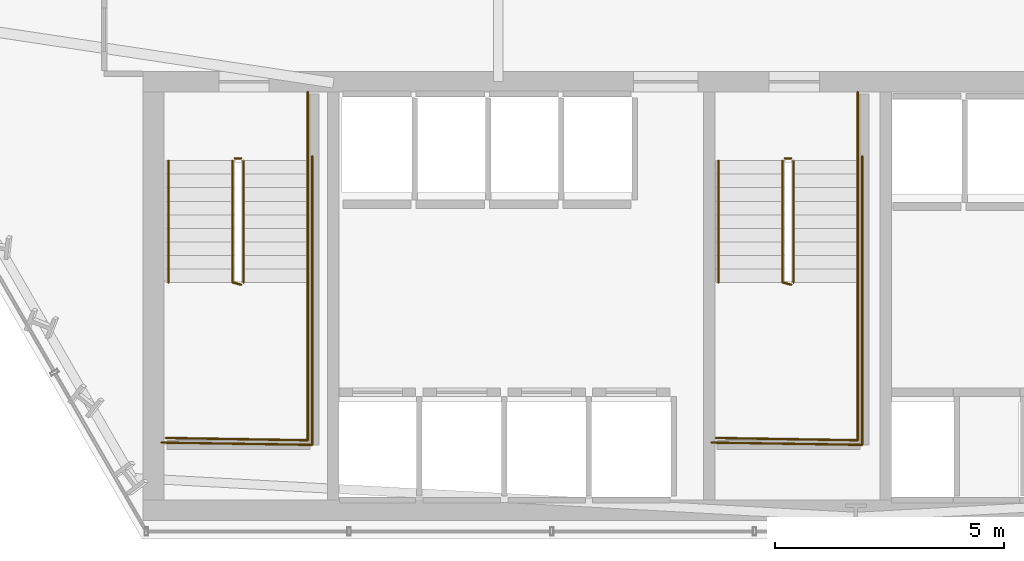
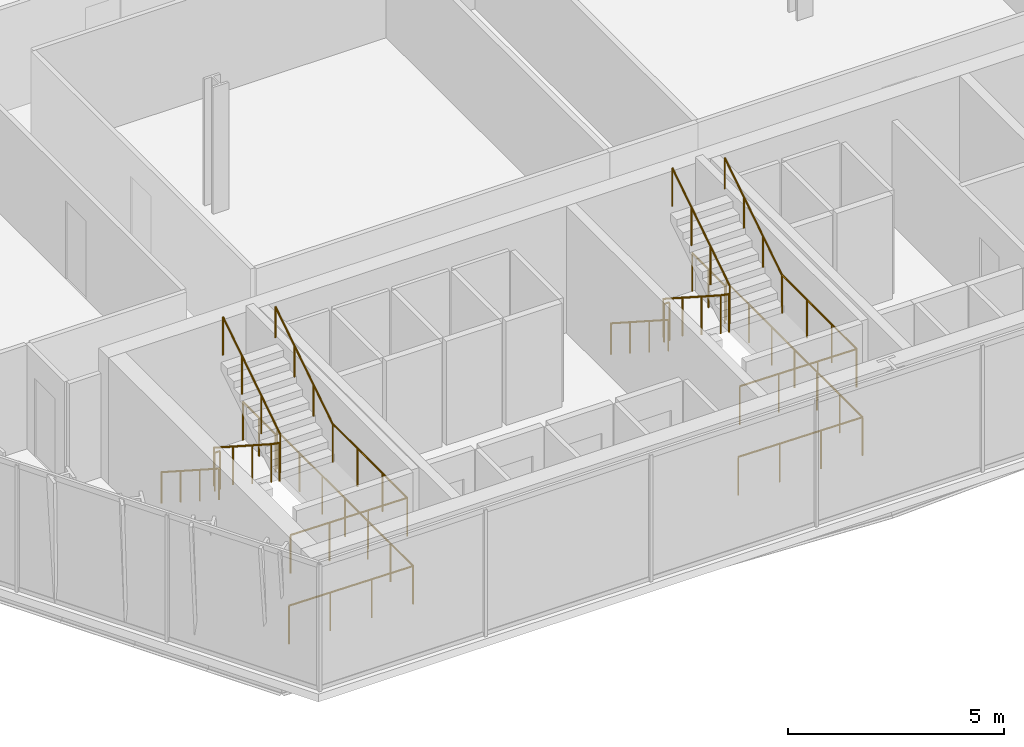
# One storey, part 30 of 32: 16 railings.
"""IFC4 building model written with IfcOpenShell, lengths in metres."""

from ifc_helpers import new_model, si_unit, direction, frame, origin, origin_2d, place, context, subcontext, project, spatial, circle, extrude, material, layer, layer_set, type_object, element, save


model = new_model("IFC4")

# Units and contexts
model_context = context("Model", 3, precision=1e-05, world=origin(), true_north=direction((0.0, 1.0)))
body_context = subcontext(model_context, "Body", "Model", "MODEL_VIEW")
ifc_project = project(units=[si_unit("LENGTHUNIT", "METRE"), si_unit("AREAUNIT", "SQUARE_METRE"), si_unit("VOLUMEUNIT", "CUBIC_METRE"), si_unit("PLANEANGLEUNIT", "RADIAN"), si_unit("MASSUNIT", "GRAM", prefix="KILO")], contexts=[model_context])

# Site, building, storey
site_placement = place(None, origin())
site = spatial("IfcSite", under=ifc_project, at=site_placement, CompositionType="ELEMENT")
building_placement = place(site_placement, origin())
building = spatial("IfcBuilding", under=site, at=building_placement, Name="Ndaravel Arena Tower", CompositionType="ELEMENT")
storey_placement = place(building_placement, frame((0.0, 0.0, 55.0)))
storey = spatial("IfcBuildingStorey", under=building, at=storey_placement, Name="L11", CompositionType="ELEMENT", Elevation=55.0)

# Railings
ifc_material_1 = material(Name="Steel S355", Category="steel")
ifc_layer_1 = layer(ifc_material_1, 0.06005859375)
ifc_layer_set_1 = layer_set([ifc_layer_1], Name="Steel S355")
railing_type_1 = type_object("IfcRailingType", Name="RAIL-STAIR-GD1100", PredefinedType="GUARDRAIL", material=ifc_layer_set_1)
railing_1_placement = place(storey_placement, frame((28.39990234375, 13.25, 0.18994140625)))
element("IfcRailing", 1, at=railing_1_placement, inside=storey, type_object=railing_type_1, Name="L11 ST-1 stair guard 1", PredefinedType="GUARDRAIL", context=body_context, shape_type="SweptSolid", body=[
    extrude(circle(Radius=0.02392578125, at=origin_2d()), frame((0.0, 0.0, 1.076171875), z_axis=(0.0, -0.840723540582, 0.54146461409), x_axis=(1.0, 0.0, 0.0)), (0.0, 0.0, 1.0), 3.157958984375),
    extrude(circle(Radius=0.02392578125, at=origin_2d()), frame((0.0, -2.655029296875, 2.7861328125), z_axis=(0.967074537263, -0.25449329928, 0.0), x_axis=(0.25449329928, 0.967074537263, 0.0)), (0.0, 0.0, 1.0), 0.19677734375),
    extrude(circle(Radius=0.02099609375, at=origin_2d()), origin(), (0.0, 0.0, 1.0), 1.052001953125),
    extrude(circle(Radius=0.02099609375, at=origin_2d()), frame((0.0, -0.885009765625, 0.570068359375)), (0.0, 0.0, 1.0), 1.052001953125),
    extrude(circle(Radius=0.02099609375, at=origin_2d()), frame((0.0, -1.77001953125, 1.139892578125)), (0.0, 0.0, 1.0), 1.052001953125),
    extrude(circle(Radius=0.02099609375, at=origin_2d()), frame((0.0, -2.655029296875, 1.7099609375)), (0.0, 0.0, 1.0), 1.052001953125),
    extrude(circle(Radius=0.02099609375, at=origin_2d()), frame((0.190185546875, -2.705078125, 1.7099609375)), (0.0, 0.0, 1.0), 1.052001953125),
])
railing_2_placement = place(storey_placement, frame((30.0400390625, 10.594970703125, 1.89990234375)))
element("IfcRailing", 2, at=railing_2_placement, inside=storey, type_object=railing_type_1, Name="L11 ST-1 stair guard 2", PredefinedType="GUARDRAIL", context=body_context, shape_type="SweptSolid", body=[
    extrude(circle(Radius=0.02392578125, at=origin_2d()), frame((0.0, 0.0, 1.076171875), z_axis=(0.0, -1.0, 0.0), x_axis=(1.0, 0.0, 0.0)), (0.0, 0.0, 1.0), 3.445068359375),
    extrude(circle(Radius=0.02392578125, at=origin_2d()), frame((0.0, -3.445068359375, 1.076171875), z_axis=(-0.999868861343, 0.016194447071, 0.0), x_axis=(-0.016194447071, -0.999868861343, 0.0)), (0.0, 0.0, 1.0), 3.090576171875),
    extrude(circle(Radius=0.02099609375, at=origin_2d()), origin(), (0.0, 0.0, 1.0), 1.052001953125),
    extrude(circle(Radius=0.02099609375, at=origin_2d()), frame((0.0, -1.1484375, 0.0)), (0.0, 0.0, 1.0), 1.052001953125),
    extrude(circle(Radius=0.02099609375, at=origin_2d()), frame((0.0, -2.296630859375, 0.0)), (0.0, 0.0, 1.0), 1.052001953125),
    extrude(circle(Radius=0.02099609375, at=origin_2d()), frame((0.0, -3.445068359375, 0.0)), (0.0, 0.0, 1.0), 1.052001953125),
    extrude(circle(Radius=0.02099609375, at=origin_2d()), frame((-1.030029296875, -3.428466796875, 0.0)), (0.0, 0.0, 1.0), 1.052001953125),
    extrude(circle(Radius=0.02099609375, at=origin_2d()), frame((-2.06005859375, -3.41162109375, 0.0)), (0.0, 0.0, 1.0), 1.052001953125),
    extrude(circle(Radius=0.02099609375, at=origin_2d()), frame((-3.090087890625, -3.39501953125, 0.0)), (0.0, 0.0, 1.0), 1.052001953125),
])
railing_3_placement = place(storey_placement, frame((28.639892578125, 10.594970703125, 2.090087890625)))
element("IfcRailing", 3, at=railing_3_placement, inside=storey, type_object=railing_type_1, Name="L11 ST-1 stair guard 3", PredefinedType="GUARDRAIL", context=body_context, shape_type="SweptSolid", body=[
    extrude(circle(Radius=0.02392578125, at=origin_2d()), frame((0.0, 0.0, 1.076171875), z_axis=(0.0, 0.840723540582, 0.54146461409), x_axis=(-1.0, 0.0, 0.0)), (0.0, 0.0, 1.0), 3.157958984375),
    extrude(circle(Radius=0.02099609375, at=origin_2d()), origin(), (0.0, 0.0, 1.0), 1.052001953125),
    extrude(circle(Radius=0.02099609375, at=origin_2d()), frame((0.0, 0.885009765625, 0.570068359375)), (0.0, 0.0, 1.0), 1.052001953125),
    extrude(circle(Radius=0.02099609375, at=origin_2d()), frame((0.0, 1.77001953125, 1.139892578125)), (0.0, 0.0, 1.0), 1.052001953125),
    extrude(circle(Radius=0.02099609375, at=origin_2d()), frame((0.0, 2.655029296875, 1.7099609375)), (0.0, 0.0, 1.0), 1.052001953125),
])
railing_4_placement = place(storey_placement, frame((28.449951171875, 13.300048828125, 0.0)))
element("IfcRailing", 4, at=railing_4_placement, inside=storey, type_object=railing_type_1, Name="L11 ST-1 stair guard 4", PredefinedType="GUARDRAIL", context=body_context, shape_type="SweptSolid", body=[
    extrude(circle(Radius=0.02392578125, at=origin_2d()), frame((0.0, 0.0, 1.076171875), z_axis=(1.0, 0.0, 0.0), x_axis=(0.0, 1.0, 0.0)), (0.0, 0.0, 1.0), 0.14013671875),
    extrude(circle(Radius=0.02099609375, at=origin_2d()), origin(), (0.0, 0.0, 1.0), 1.052001953125),
    extrude(circle(Radius=0.02099609375, at=origin_2d()), frame((0.14013671875, 0.0, 0.0)), (0.0, 0.0, 1.0), 1.052001953125),
])
railing_5_placement = place(storey_placement, frame((30.0400390625, 14.75, 0.0)))
element("IfcRailing", 5, at=railing_5_placement, inside=storey, type_object=railing_type_1, Name="L11 ST-1 stair guard 5", PredefinedType="GUARDRAIL", context=body_context, shape_type="SweptSolid", body=[
    extrude(circle(Radius=0.02392578125, at=origin_2d()), frame((0.0, 0.0, 1.076171875), z_axis=(0.0, -1.0, 0.0), x_axis=(1.0, 0.0, 0.0)), (0.0, 0.0, 1.0), 1.5),
    extrude(circle(Radius=0.02099609375, at=origin_2d()), origin(), (0.0, 0.0, 1.0), 1.052001953125),
    extrude(circle(Radius=0.02099609375, at=origin_2d()), frame((0.0, -0.75, 0.0)), (0.0, 0.0, 1.0), 1.052001953125),
    extrude(circle(Radius=0.02099609375, at=origin_2d()), frame((0.0, -1.5, 0.0)), (0.0, 0.0, 1.0), 1.052001953125),
])
railing_6_placement = place(storey_placement, frame((30.139892578125, 13.35009765625, 0.0)))
element("IfcRailing", 6, at=railing_6_placement, inside=storey, type_object=railing_type_1, Name="L11 ST-1 stair guard 6", PredefinedType="GUARDRAIL", context=body_context, shape_type="SweptSolid", body=[
    extrude(circle(Radius=0.02392578125, at=origin_2d()), frame((0.0, 0.0, 1.076171875), z_axis=(0.0, -1.0, 0.0), x_axis=(1.0, 0.0, 0.0)), (0.0, 0.0, 1.0), 6.300048828125),
    extrude(circle(Radius=0.02392578125, at=origin_2d()), frame((0.0, -6.300048828125, 1.076171875), z_axis=(-0.999884296952, 0.015211597839, 0.0), x_axis=(-0.015211597839, -0.999884296952, 0.0)), (0.0, 0.0, 1.0), 3.290283203125),
    extrude(circle(Radius=0.02099609375, at=origin_2d()), origin(), (0.0, 0.0, 1.0), 1.052001953125),
    extrude(circle(Radius=0.02099609375, at=origin_2d()), frame((0.0, -1.050048828125, 0.0)), (0.0, 0.0, 1.0), 1.052001953125),
    extrude(circle(Radius=0.02099609375, at=origin_2d()), frame((0.0, -2.10009765625, 0.0)), (0.0, 0.0, 1.0), 1.052001953125),
    extrude(circle(Radius=0.02099609375, at=origin_2d()), frame((0.0, -3.14990234375, 0.0)), (0.0, 0.0, 1.0), 1.052001953125),
    extrude(circle(Radius=0.02099609375, at=origin_2d()), frame((0.0, -4.199951171875, 0.0)), (0.0, 0.0, 1.0), 1.052001953125),
    extrude(circle(Radius=0.02099609375, at=origin_2d()), frame((0.0, -5.25, 0.0)), (0.0, 0.0, 1.0), 1.052001953125),
    extrude(circle(Radius=0.02099609375, at=origin_2d()), frame((0.0, -6.300048828125, 0.0)), (0.0, 0.0, 1.0), 1.052001953125),
    extrude(circle(Radius=0.02099609375, at=origin_2d()), frame((-1.0966796875, -6.283447265625, 0.0)), (0.0, 0.0, 1.0), 1.052001953125),
    extrude(circle(Radius=0.02099609375, at=origin_2d()), frame((-2.193115234375, -6.2666015625, 0.0)), (0.0, 0.0, 1.0), 1.052001953125),
    extrude(circle(Radius=0.02099609375, at=origin_2d()), frame((-3.289794921875, -6.25, 0.0)), (0.0, 0.0, 1.0), 1.052001953125),
])
railing_7_placement = place(storey_placement, frame((40.39990234375, 13.25, 0.18994140625)))
element("IfcRailing", 7, at=railing_7_placement, inside=storey, type_object=railing_type_1, Name="L11 ST-2 stair guard 1", PredefinedType="GUARDRAIL", context=body_context, shape_type="SweptSolid", body=[
    extrude(circle(Radius=0.02392578125, at=origin_2d()), frame((0.0, 0.0, 1.076171875), z_axis=(0.0, -0.840723540582, 0.54146461409), x_axis=(1.0, 0.0, 0.0)), (0.0, 0.0, 1.0), 3.157958984375),
    extrude(circle(Radius=0.02392578125, at=origin_2d()), frame((0.0, -2.655029296875, 2.7861328125), z_axis=(0.967074537263, -0.25449329928, 0.0), x_axis=(0.25449329928, 0.967074537263, 0.0)), (0.0, 0.0, 1.0), 0.19677734375),
    extrude(circle(Radius=0.02099609375, at=origin_2d()), origin(), (0.0, 0.0, 1.0), 1.052001953125),
    extrude(circle(Radius=0.02099609375, at=origin_2d()), frame((0.0, -0.885009765625, 0.570068359375)), (0.0, 0.0, 1.0), 1.052001953125),
    extrude(circle(Radius=0.02099609375, at=origin_2d()), frame((0.0, -1.77001953125, 1.139892578125)), (0.0, 0.0, 1.0), 1.052001953125),
    extrude(circle(Radius=0.02099609375, at=origin_2d()), frame((0.0, -2.655029296875, 1.7099609375)), (0.0, 0.0, 1.0), 1.052001953125),
    extrude(circle(Radius=0.02099609375, at=origin_2d()), frame((0.190185546875, -2.705078125, 1.7099609375)), (0.0, 0.0, 1.0), 1.052001953125),
])
railing_8_placement = place(storey_placement, frame((42.0400390625, 10.594970703125, 1.89990234375)))
element("IfcRailing", 8, at=railing_8_placement, inside=storey, type_object=railing_type_1, Name="L11 ST-2 stair guard 2", PredefinedType="GUARDRAIL", context=body_context, shape_type="SweptSolid", body=[
    extrude(circle(Radius=0.02392578125, at=origin_2d()), frame((0.0, 0.0, 1.076171875), z_axis=(0.0, -1.0, 0.0), x_axis=(1.0, 0.0, 0.0)), (0.0, 0.0, 1.0), 3.445068359375),
    extrude(circle(Radius=0.02392578125, at=origin_2d()), frame((0.0, -3.445068359375, 1.076171875), z_axis=(-0.999868861343, 0.016194447071, 0.0), x_axis=(-0.016194447071, -0.999868861343, 0.0)), (0.0, 0.0, 1.0), 3.090576171875),
    extrude(circle(Radius=0.02099609375, at=origin_2d()), origin(), (0.0, 0.0, 1.0), 1.052001953125),
    extrude(circle(Radius=0.02099609375, at=origin_2d()), frame((0.0, -1.1484375, 0.0)), (0.0, 0.0, 1.0), 1.052001953125),
    extrude(circle(Radius=0.02099609375, at=origin_2d()), frame((0.0, -2.296630859375, 0.0)), (0.0, 0.0, 1.0), 1.052001953125),
    extrude(circle(Radius=0.02099609375, at=origin_2d()), frame((0.0, -3.445068359375, 0.0)), (0.0, 0.0, 1.0), 1.052001953125),
    extrude(circle(Radius=0.02099609375, at=origin_2d()), frame((-1.030029296875, -3.428466796875, 0.0)), (0.0, 0.0, 1.0), 1.052001953125),
    extrude(circle(Radius=0.02099609375, at=origin_2d()), frame((-2.06005859375, -3.41162109375, 0.0)), (0.0, 0.0, 1.0), 1.052001953125),
    extrude(circle(Radius=0.02099609375, at=origin_2d()), frame((-3.090087890625, -3.39501953125, 0.0)), (0.0, 0.0, 1.0), 1.052001953125),
])
railing_9_placement = place(storey_placement, frame((40.639892578125, 10.594970703125, 2.090087890625)))
element("IfcRailing", 9, at=railing_9_placement, inside=storey, type_object=railing_type_1, Name="L11 ST-2 stair guard 3", PredefinedType="GUARDRAIL", context=body_context, shape_type="SweptSolid", body=[
    extrude(circle(Radius=0.02392578125, at=origin_2d()), frame((0.0, 0.0, 1.076171875), z_axis=(0.0, 0.840723540582, 0.54146461409), x_axis=(-1.0, 0.0, 0.0)), (0.0, 0.0, 1.0), 3.157958984375),
    extrude(circle(Radius=0.02099609375, at=origin_2d()), origin(), (0.0, 0.0, 1.0), 1.052001953125),
    extrude(circle(Radius=0.02099609375, at=origin_2d()), frame((0.0, 0.885009765625, 0.570068359375)), (0.0, 0.0, 1.0), 1.052001953125),
    extrude(circle(Radius=0.02099609375, at=origin_2d()), frame((0.0, 1.77001953125, 1.139892578125)), (0.0, 0.0, 1.0), 1.052001953125),
    extrude(circle(Radius=0.02099609375, at=origin_2d()), frame((0.0, 2.655029296875, 1.7099609375)), (0.0, 0.0, 1.0), 1.052001953125),
])
railing_10_placement = place(storey_placement, frame((40.449951171875, 13.300048828125, 0.0)))
element("IfcRailing", 10, at=railing_10_placement, inside=storey, type_object=railing_type_1, Name="L11 ST-2 stair guard 4", PredefinedType="GUARDRAIL", context=body_context, shape_type="SweptSolid", body=[
    extrude(circle(Radius=0.02392578125, at=origin_2d()), frame((0.0, 0.0, 1.076171875), z_axis=(1.0, 0.0, 0.0), x_axis=(0.0, 1.0, 0.0)), (0.0, 0.0, 1.0), 0.14013671875),
    extrude(circle(Radius=0.02099609375, at=origin_2d()), origin(), (0.0, 0.0, 1.0), 1.052001953125),
    extrude(circle(Radius=0.02099609375, at=origin_2d()), frame((0.14013671875, 0.0, 0.0)), (0.0, 0.0, 1.0), 1.052001953125),
])
railing_11_placement = place(storey_placement, frame((42.0400390625, 14.75, 0.0)))
element("IfcRailing", 11, at=railing_11_placement, inside=storey, type_object=railing_type_1, Name="L11 ST-2 stair guard 5", PredefinedType="GUARDRAIL", context=body_context, shape_type="SweptSolid", body=[
    extrude(circle(Radius=0.02392578125, at=origin_2d()), frame((0.0, 0.0, 1.076171875), z_axis=(0.0, -1.0, 0.0), x_axis=(1.0, 0.0, 0.0)), (0.0, 0.0, 1.0), 1.5),
    extrude(circle(Radius=0.02099609375, at=origin_2d()), origin(), (0.0, 0.0, 1.0), 1.052001953125),
    extrude(circle(Radius=0.02099609375, at=origin_2d()), frame((0.0, -0.75, 0.0)), (0.0, 0.0, 1.0), 1.052001953125),
    extrude(circle(Radius=0.02099609375, at=origin_2d()), frame((0.0, -1.5, 0.0)), (0.0, 0.0, 1.0), 1.052001953125),
])
railing_12_placement = place(storey_placement, frame((42.139892578125, 13.35009765625, 0.0)))
element("IfcRailing", 12, at=railing_12_placement, inside=storey, type_object=railing_type_1, Name="L11 ST-2 stair guard 6", PredefinedType="GUARDRAIL", context=body_context, shape_type="SweptSolid", body=[
    extrude(circle(Radius=0.02392578125, at=origin_2d()), frame((0.0, 0.0, 1.076171875), z_axis=(0.0, -1.0, 0.0), x_axis=(1.0, 0.0, 0.0)), (0.0, 0.0, 1.0), 6.300048828125),
    extrude(circle(Radius=0.02392578125, at=origin_2d()), frame((0.0, -6.300048828125, 1.076171875), z_axis=(-0.999884296952, 0.015211597839, 0.0), x_axis=(-0.015211597839, -0.999884296952, 0.0)), (0.0, 0.0, 1.0), 3.290283203125),
    extrude(circle(Radius=0.02099609375, at=origin_2d()), origin(), (0.0, 0.0, 1.0), 1.052001953125),
    extrude(circle(Radius=0.02099609375, at=origin_2d()), frame((0.0, -1.050048828125, 0.0)), (0.0, 0.0, 1.0), 1.052001953125),
    extrude(circle(Radius=0.02099609375, at=origin_2d()), frame((0.0, -2.10009765625, 0.0)), (0.0, 0.0, 1.0), 1.052001953125),
    extrude(circle(Radius=0.02099609375, at=origin_2d()), frame((0.0, -3.14990234375, 0.0)), (0.0, 0.0, 1.0), 1.052001953125),
    extrude(circle(Radius=0.02099609375, at=origin_2d()), frame((0.0, -4.199951171875, 0.0)), (0.0, 0.0, 1.0), 1.052001953125),
    extrude(circle(Radius=0.02099609375, at=origin_2d()), frame((0.0, -5.25, 0.0)), (0.0, 0.0, 1.0), 1.052001953125),
    extrude(circle(Radius=0.02099609375, at=origin_2d()), frame((0.0, -6.300048828125, 0.0)), (0.0, 0.0, 1.0), 1.052001953125),
    extrude(circle(Radius=0.02099609375, at=origin_2d()), frame((-1.0966796875, -6.283447265625, 0.0)), (0.0, 0.0, 1.0), 1.052001953125),
    extrude(circle(Radius=0.02099609375, at=origin_2d()), frame((-2.193115234375, -6.2666015625, 0.0)), (0.0, 0.0, 1.0), 1.052001953125),
    extrude(circle(Radius=0.02099609375, at=origin_2d()), frame((-3.289794921875, -6.25, 0.0)), (0.0, 0.0, 1.0), 1.052001953125),
])
ifc_material_2 = material(Name="Steel S355", Category="steel")
ifc_layer_2 = layer(ifc_material_2, 0.050048828125)
ifc_layer_set_2 = layer_set([ifc_layer_2], Name="Steel S355")
railing_type_2 = type_object("IfcRailingType", Name="RAIL-STAIR-HR920", PredefinedType="HANDRAIL", material=ifc_layer_set_2)
railing_13_placement = place(storey_placement, frame((27.0, 13.25, 0.18994140625)))
element("IfcRailing", 13, at=railing_13_placement, inside=storey, type_object=railing_type_2, Name="L11 ST-1 stair handrail 1", PredefinedType="HANDRAIL", context=body_context, shape_type="SweptSolid", body=[
    extrude(circle(Radius=0.02392578125, at=origin_2d()), frame((0.0, 0.0, 0.8759765625), z_axis=(0.0, -0.840723540582, 0.54146461409), x_axis=(1.0, 0.0, 0.0)), (0.0, 0.0, 1.0), 3.157958984375),
    extrude(circle(Radius=0.02099609375, at=origin_2d()), origin(), (0.0, 0.0, 1.0), 0.851806640625),
    extrude(circle(Radius=0.02099609375, at=origin_2d()), frame((0.0, -0.885009765625, 0.570068359375)), (0.0, 0.0, 1.0), 0.851806640625),
    extrude(circle(Radius=0.02099609375, at=origin_2d()), frame((0.0, -1.77001953125, 1.139892578125)), (0.0, 0.0, 1.0), 0.851806640625),
    extrude(circle(Radius=0.02099609375, at=origin_2d()), frame((0.0, -2.655029296875, 1.7099609375)), (0.0, 0.0, 1.0), 0.851806640625),
])
railing_14_placement = place(storey_placement, frame((30.0400390625, 10.594970703125, 2.090087890625)))
element("IfcRailing", 14, at=railing_14_placement, inside=storey, type_object=railing_type_2, Name="L11 ST-1 stair handrail 2", PredefinedType="HANDRAIL", context=body_context, shape_type="SweptSolid", body=[
    extrude(circle(Radius=0.02392578125, at=origin_2d()), frame((0.0, 0.0, 0.8759765625), z_axis=(0.0, 0.840723540582, 0.54146461409), x_axis=(-1.0, 0.0, 0.0)), (0.0, 0.0, 1.0), 3.157958984375),
    extrude(circle(Radius=0.02099609375, at=origin_2d()), origin(), (0.0, 0.0, 1.0), 0.851806640625),
    extrude(circle(Radius=0.02099609375, at=origin_2d()), frame((0.0, 0.885009765625, 0.570068359375)), (0.0, 0.0, 1.0), 0.851806640625),
    extrude(circle(Radius=0.02099609375, at=origin_2d()), frame((0.0, 1.77001953125, 1.139892578125)), (0.0, 0.0, 1.0), 0.851806640625),
    extrude(circle(Radius=0.02099609375, at=origin_2d()), frame((0.0, 2.655029296875, 1.7099609375)), (0.0, 0.0, 1.0), 0.851806640625),
])
railing_15_placement = place(storey_placement, frame((39.0, 13.25, 0.18994140625)))
element("IfcRailing", 15, at=railing_15_placement, inside=storey, type_object=railing_type_2, Name="L11 ST-2 stair handrail 1", PredefinedType="HANDRAIL", context=body_context, shape_type="SweptSolid", body=[
    extrude(circle(Radius=0.02392578125, at=origin_2d()), frame((0.0, 0.0, 0.8759765625), z_axis=(0.0, -0.840723540582, 0.54146461409), x_axis=(1.0, 0.0, 0.0)), (0.0, 0.0, 1.0), 3.157958984375),
    extrude(circle(Radius=0.02099609375, at=origin_2d()), origin(), (0.0, 0.0, 1.0), 0.851806640625),
    extrude(circle(Radius=0.02099609375, at=origin_2d()), frame((0.0, -0.885009765625, 0.570068359375)), (0.0, 0.0, 1.0), 0.851806640625),
    extrude(circle(Radius=0.02099609375, at=origin_2d()), frame((0.0, -1.77001953125, 1.139892578125)), (0.0, 0.0, 1.0), 0.851806640625),
    extrude(circle(Radius=0.02099609375, at=origin_2d()), frame((0.0, -2.655029296875, 1.7099609375)), (0.0, 0.0, 1.0), 0.851806640625),
])
railing_16_placement = place(storey_placement, frame((42.0400390625, 10.594970703125, 2.090087890625)))
element("IfcRailing", 16, at=railing_16_placement, inside=storey, type_object=railing_type_2, Name="L11 ST-2 stair handrail 2", PredefinedType="HANDRAIL", context=body_context, shape_type="SweptSolid", body=[
    extrude(circle(Radius=0.02392578125, at=origin_2d()), frame((0.0, 0.0, 0.8759765625), z_axis=(0.0, 0.840723540582, 0.54146461409), x_axis=(-1.0, 0.0, 0.0)), (0.0, 0.0, 1.0), 3.157958984375),
    extrude(circle(Radius=0.02099609375, at=origin_2d()), origin(), (0.0, 0.0, 1.0), 0.851806640625),
    extrude(circle(Radius=0.02099609375, at=origin_2d()), frame((0.0, 0.885009765625, 0.570068359375)), (0.0, 0.0, 1.0), 0.851806640625),
    extrude(circle(Radius=0.02099609375, at=origin_2d()), frame((0.0, 1.77001953125, 1.139892578125)), (0.0, 0.0, 1.0), 0.851806640625),
    extrude(circle(Radius=0.02099609375, at=origin_2d()), frame((0.0, 2.655029296875, 1.7099609375)), (0.0, 0.0, 1.0), 0.851806640625),
])

save(model, "model.ifc")
